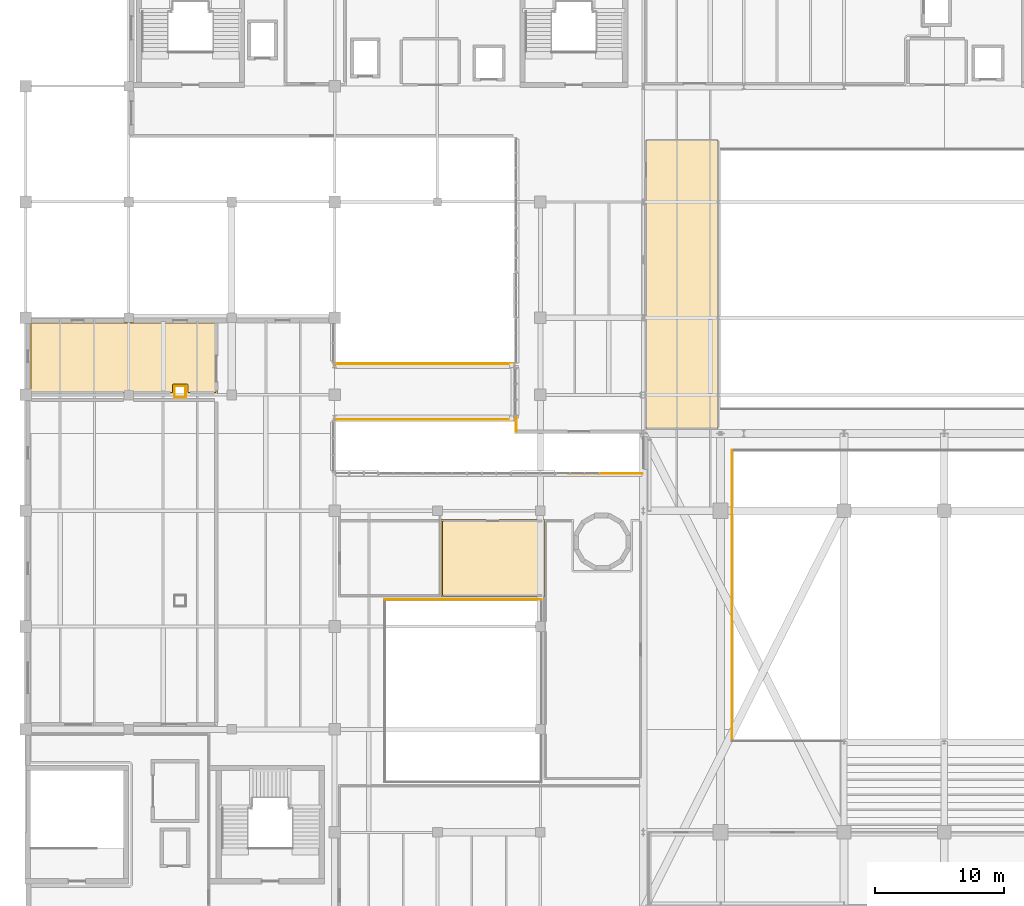
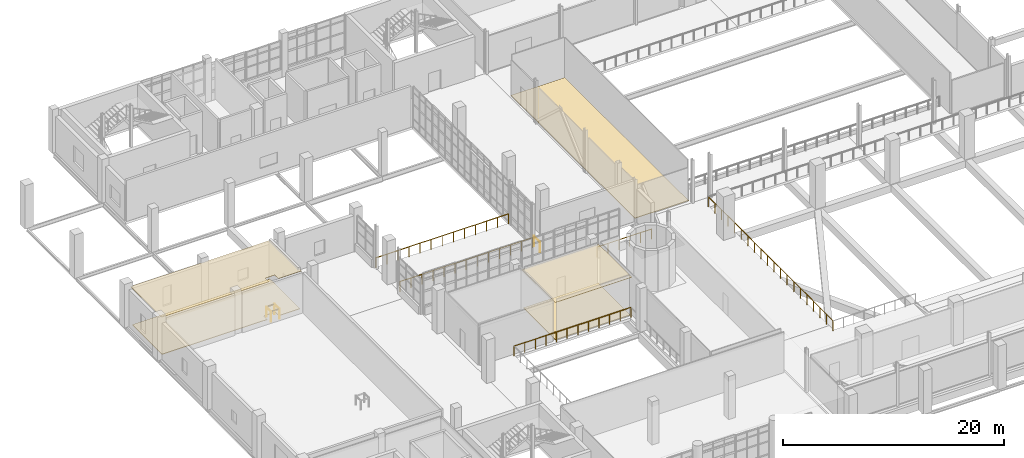
# One storey, part 97 of 100: 10 railings, 5 coverings.
"""IFC4 building model written with IfcOpenShell, lengths in metres."""

import ifcopenshell
import ifcopenshell.guid

model = None  # the IFC model being written
_history = None  # IfcOwnerHistory: only IFC2X3 demands one
_inside = {}  # id of a spatial element -> (the spatial element, [elements in it])
_under = {}  # id of a project, library or spatial element -> (it, [spatial elements below it])
_declared = {}  # id of a project -> (the project, [libraries it declares])
_typed = {}  # id of a type object -> (the type object, [elements of that type])
_made_of = {}  # id of a material, layer set ... -> (it, [elements and type objects made of it])


def new_model(schema):
    """Start an empty IFC model of exactly this schema.

    Asked for "IFC4X3", IfcOpenShell would pick the latest addendum, in which some entities
    have other attributes; the version numbers below select the first issue.
    IFC2X3 requires an IfcOwnerHistory on every rooted entity: one is made here for all.
    """
    global model, _history
    if schema == "IFC4X3":
        model = ifcopenshell.file(schema_version=(4, 3, 0, 0))
    else:
        model = ifcopenshell.file(schema=schema)
    _inside.clear()
    _under.clear()
    _declared.clear()
    _typed.clear()
    _made_of.clear()
    _history = None
    if model.schema == "IFC2X3":
        org = make("IfcOrganization", Name="unknown")
        user = make(
            "IfcPersonAndOrganization",
            ThePerson=make("IfcPerson", FamilyName="unknown"),
            TheOrganization=org,
        )
        app = make(
            "IfcApplication",
            ApplicationDeveloper=org,
            Version="unknown",
            ApplicationFullName="unknown",
            ApplicationIdentifier="unknown",
        )
        _history = make(
            "IfcOwnerHistory",
            OwningUser=user,
            OwningApplication=app,
            ChangeAction="ADDED",
            CreationDate=0,
        )
    return model


def make(cls, **values):
    """One entity of the class cls with the attributes given. An attribute that is None is left unset."""
    return model.create_entity(
        cls, **{name: value for name, value in values.items() if value is not None}
    )


def rooted(cls, **values):
    """An entity with a GlobalId (a new one), such as an element, a storey or a relation."""
    return make(cls, GlobalId=ifcopenshell.guid.new(), OwnerHistory=_history, **values)


def si_unit(unit_type, name, prefix=None):
    """IfcSIUnit, for example si_unit("LENGTHUNIT", "METRE", prefix="MILLI")."""
    return make("IfcSIUnit", UnitType=unit_type, Prefix=prefix, Name=name)


def derived_unit(unit_type, elements):
    """IfcDerivedUnit: a product of units, each with its exponent."""
    return make(
        "IfcDerivedUnit",
        Elements=[
            make("IfcDerivedUnitElement", Unit=unit, Exponent=power)
            for unit, power in elements
        ],
        UnitType=unit_type,
    )


def assignment(units):
    """IfcUnitAssignment: the units of a project."""
    return None if units is None else make("IfcUnitAssignment", Units=units)


def point(xyz):
    """IfcCartesianPoint."""
    return None if xyz is None else make("IfcCartesianPoint", Coordinates=xyz)


def direction(xyz):
    """IfcDirection."""
    return None if xyz is None else make("IfcDirection", DirectionRatios=xyz)


def frame(location, z_axis=None, x_axis=None):
    """IfcAxis2Placement3D, a coordinate frame: its origin and axes. An axis left out is left unset."""
    return make(
        "IfcAxis2Placement3D",
        Location=point(location),
        Axis=direction(z_axis),
        RefDirection=direction(x_axis),
    )


def frame_2d(location, x_axis=None):
    """IfcAxis2Placement2D, a coordinate frame in the plane: its origin and x axis."""
    return make(
        "IfcAxis2Placement2D", Location=point(location), RefDirection=direction(x_axis)
    )


def origin():
    """The frame at (0, 0, 0) with its axes left unset."""
    return frame((0.0, 0.0, 0.0))


def origin_2d():
    """The frame at (0, 0) in the plane with its x axis left unset."""
    return frame_2d((0.0, 0.0))


def place(relative_to, where):
    """IfcLocalPlacement: puts the frame where relative to a parent placement (None: the world)."""
    return make(
        "IfcLocalPlacement", PlacementRelTo=relative_to, RelativePlacement=where
    )


def context(
    kind, dimensions, precision=None, world=None, true_north=None, identifier=None
):
    """IfcGeometricRepresentationContext, for example the 3D "Model" context."""
    return make(
        "IfcGeometricRepresentationContext",
        ContextIdentifier=identifier,
        ContextType=kind,
        CoordinateSpaceDimension=dimensions,
        Precision=precision,
        WorldCoordinateSystem=world,
        TrueNorth=true_north,
    )


def subcontext(parent, identifier, kind, view, scale=None):
    """IfcGeometricRepresentationSubContext, for example "Body" below "Model"."""
    return make(
        "IfcGeometricRepresentationSubContext",
        ContextIdentifier=identifier,
        ContextType=kind,
        ParentContext=parent,
        TargetScale=scale,
        TargetView=view,
    )


def project(units=None, contexts=None):
    """IfcProject with its units and contexts."""
    return rooted(
        "IfcProject",
        Name="project",
        RepresentationContexts=contexts,
        UnitsInContext=assignment(units),
    )


def spatial(cls, under=None, at=None, **own):
    """A site, building, storey or space (cls), placed at a placement, below another one or the project."""
    s = rooted(cls, ObjectPlacement=at, **own)
    if under is not None:
        _under.setdefault(under.id(), (under, []))[1].append(s)
    return s


def polyline(points):
    """IfcPolyline through the points."""
    return make("IfcPolyline", Points=[point(p) for p in points])


def profile(cls, at=None, kind="AREA", **sizes):
    """A parametric profile (cls). Its sizes go by their IFC names, for example OverallWidth=200.0."""
    return make(cls, ProfileType=kind, Position=at, **sizes)


def circle(**sizes):
    """IfcCircleProfileDef."""
    return profile("IfcCircleProfileDef", **sizes)


def outline(outer, holes=None, kind="AREA"):
    """IfcArbitraryClosedProfileDef: a profile drawn as a closed curve; with holes, ...WithVoids."""
    if holes is None:
        return make("IfcArbitraryClosedProfileDef", ProfileType=kind, OuterCurve=outer)
    return make(
        "IfcArbitraryProfileDefWithVoids",
        ProfileType=kind,
        OuterCurve=outer,
        InnerCurves=holes,
    )


def extrude(swept, where, along, depth):
    """IfcExtrudedAreaSolid: the profile swept, set in the frame where, extruded along a direction by depth."""
    return make(
        "IfcExtrudedAreaSolid",
        SweptArea=swept,
        Position=where,
        ExtrudedDirection=direction(along),
        Depth=depth,
    )


def shape(context_of_items, identifier, shape_type, items):
    """IfcShapeRepresentation: the items that make up one representation, for example the "Body"."""
    return make(
        "IfcShapeRepresentation",
        ContextOfItems=context_of_items,
        RepresentationIdentifier=identifier,
        RepresentationType=shape_type,
        Items=items,
    )


def material(Name=None, Category=None):
    """IfcMaterial."""
    return make("IfcMaterial", Name=Name, Category=Category)


def layer(
    of_material, thickness, ventilated=None, Name=None, Category=None, Priority=None
):
    """IfcMaterialLayer: one layer of a wall or slab, of a material (None: an air gap)."""
    return make(
        "IfcMaterialLayer",
        Material=of_material,
        LayerThickness=thickness,
        IsVentilated=ventilated,
        Name=Name,
        Category=Category,
        Priority=Priority,
    )


def layer_set(layers, Name=None):
    """IfcMaterialLayerSet."""
    return make("IfcMaterialLayerSet", MaterialLayers=layers, LayerSetName=Name)


def made_of(thing, what):
    """Note that an element or type object is made of a material, layer set ...; save() writes the relation."""
    if what is not None:
        _made_of.setdefault(what.id(), (what, []))[1].append(thing)
    return thing


def type_object(cls, material=None, **own):
    """A type object (cls), such as IfcWallType, which elements share."""
    return made_of(rooted(cls, **own), material)


def element(
    cls,
    number,
    at=None,
    inside=None,
    cuts=None,
    type_object=None,
    material=None,
    context=None,
    identifier="Body",
    shape_type=None,
    held_by="IfcProductDefinitionShape",
    body=None,
    shapes=None,
    **own,
):
    """One element of the class cls, such as IfcWall. Its Tag is "e" and its number.

    at: its placement. inside: the storey or other place that contains it. cuts: it is an
    opening in that element (IfcRelVoidsElement). A single representation is given by context,
    identifier, shape_type and body (its items); several are given by shapes. held_by: the class
    of the entity that holds the representations. save() writes the other relations.
    """
    e = rooted(cls, Tag="e%d" % number, ObjectPlacement=at, **own)
    if body is not None:
        shapes = [shape(context, identifier, shape_type, body)]
    if shapes is not None:
        e.Representation = make(held_by, Representations=shapes)
    if inside is not None:
        _inside.setdefault(inside.id(), (inside, []))[1].append(e)
    if cuts is not None:
        rooted(
            "IfcRelVoidsElement", RelatingBuildingElement=cuts, RelatedOpeningElement=e
        )
    if type_object is not None:
        _typed.setdefault(type_object.id(), (type_object, []))[1].append(e)
    return made_of(e, material)


def aggregate(whole, parts):
    """IfcRelAggregates: a whole, such as a stair, and the parts it consists of."""
    return rooted("IfcRelAggregates", RelatingObject=whole, RelatedObjects=parts)


def save(model, path):
    """Write the relations noted so far, then the file.

    IfcRelAggregates (storeys below a building ...), IfcRelContainedInSpatialStructure (elements
    in a storey), IfcRelDefinesByType, IfcRelAssociatesMaterial and IfcRelDeclares: one each for
    every whole, place, type object, material and project.
    """
    for whole, parts in _under.values():
        aggregate(whole, parts)
    for where, things in _inside.values():
        rooted(
            "IfcRelContainedInSpatialStructure",
            RelatedElements=things,
            RelatingStructure=where,
        )
    for kind, things in _typed.values():
        rooted("IfcRelDefinesByType", RelatedObjects=things, RelatingType=kind)
    for what, things in _made_of.values():
        rooted("IfcRelAssociatesMaterial", RelatedObjects=things, RelatingMaterial=what)
    for by, libraries in _declared.values():
        rooted("IfcRelDeclares", RelatingContext=by, RelatedDefinitions=libraries)
    model.write(path)


model = new_model("IFC4")

# Units and contexts
model_context = context("Model", 3, precision=1e-05, world=origin(), true_north=direction((0.0, 1.0)))
body_context = subcontext(model_context, "Body", "Model", "MODEL_VIEW")
ifc_project = project(units=[si_unit("LENGTHUNIT", "METRE"), si_unit("AREAUNIT", "SQUARE_METRE"), si_unit("VOLUMEUNIT", "CUBIC_METRE"), si_unit("PLANEANGLEUNIT", "RADIAN"), si_unit("MASSUNIT", "GRAM", prefix="KILO"), derived_unit("THERMALTRANSMITTANCEUNIT", [(si_unit("POWERUNIT", "WATT"), 1), (si_unit("LENGTHUNIT", "METRE"), -2), (si_unit("THERMODYNAMICTEMPERATUREUNIT", "KELVIN"), -1)])], contexts=[model_context])

# Site, building, storey
site_placement = place(None, origin())
site = spatial("IfcSite", under=ifc_project, at=site_placement, CompositionType="ELEMENT")
building_placement = place(site_placement, origin())
building = spatial("IfcBuilding", under=site, at=building_placement, Name="Nallur Shell Playhouse", CompositionType="ELEMENT")
storey_placement = place(building_placement, frame((0.0, 0.0, 10.199951171875)))
storey = spatial("IfcBuildingStorey", under=building, at=storey_placement, Name="L03", CompositionType="ELEMENT", Elevation=10.199951171875)

# Coverings
ifc_material_1 = material(Name="Micro-Perforated Teak Veneer Acoustic Baffle Ceiling")
ifc_layer_1 = layer(ifc_material_1, 0.044921875)
ifc_layer_set_1 = layer_set([ifc_layer_1], Name="Micro-Perforated Teak Veneer Acoustic Baffle Ceiling")
covering_type_1 = type_object("IfcCoveringType", Name="CV-CEIL-AC1", PredefinedType="CEILING", material=ifc_layer_set_1)
covering_1_placement = place(storey_placement, frame((0.0, 0.0, 4.205078125)))
element("IfcCovering", 1, at=covering_1_placement, inside=storey, type_object=covering_type_1, Name="Dress Circle Female Restroom suspended acoustic ceiling", PredefinedType="CEILING", context=body_context, shape_type="SweptSolid", body=[
    extrude(outline(polyline([(56.31005859375, 40.31005859375), (56.31005859375, 34.2900390625), (48.2900390625, 34.2900390625), (48.2900390625, 40.31005859375), (56.31005859375, 40.31005859375)])), origin(), (0.0, 0.0, 1.0), 0.044921875),
])
ifc_material_2 = material(Name="Mineral-Fibre High-NRC Suspended Ceiling Tile")
ifc_layer_2 = layer(ifc_material_2, 0.030029296875)
ifc_layer_set_2 = layer_set([ifc_layer_2], Name="Mineral-Fibre High-NRC Suspended Ceiling Tile")
covering_type_2 = type_object("IfcCoveringType", Name="CV-CEIL-AC2", PredefinedType="CEILING", material=ifc_layer_set_2)
covering_2_placement = place(storey_placement, frame((0.0, 0.0, 4.219970703125)))
element("IfcCovering", 2, at=covering_2_placement, inside=storey, type_object=covering_type_2, Name="Black-Box Rostra & Rigging Store suspended acoustic ceiling", PredefinedType="CEILING", context=body_context, shape_type="SweptSolid", body=[
    extrude(outline(polyline([(30.909912109375, 55.7099609375), (30.909912109375, 50.090087890625), (28.489990234375, 50.090087890625), (28.489990234375, 50.739990234375), (27.510009765625, 50.739990234375), (27.510009765625, 50.090087890625), (16.2900390625, 50.090087890625), (16.2900390625, 55.7099609375), (30.909912109375, 55.7099609375)])), origin(), (0.0, 0.0, 1.0), 0.030029296875),
])
ifc_material_3 = material(Name="Polished Chettinad Oxide & White Marble Terrazzo Flooring", Category="masonry")
ifc_layer_3 = layer(ifc_material_3, 0.050048828125)
ifc_layer_set_3 = layer_set([ifc_layer_3], Name="Polished Chettinad Oxide & White Marble Terrazzo Flooring")
covering_type_3 = type_object("IfcCoveringType", Name="CV-FLOR-TERRAZZO", PredefinedType="FLOORING", material=ifc_layer_set_3)
covering_3_placement = place(storey_placement, origin())
element("IfcCovering", 3, at=covering_3_placement, inside=storey, type_object=covering_type_3, Name="Dress Circle Female Restroom floor finish", PredefinedType="FLOORING", context=body_context, shape_type="SweptSolid", body=[
    extrude(outline(polyline([(56.199951171875, 40.199951171875), (56.199951171875, 34.39990234375), (48.39990234375, 34.39990234375), (48.39990234375, 40.199951171875), (56.199951171875, 40.199951171875)])), origin(), (0.0, 0.0, 1.0), 0.050048828125),
])
ifc_material_4 = material(Name="Sprung Semi-Resilient Stage & Dance Hardwood Flooring", Category="wood")
ifc_layer_4 = layer(ifc_material_4, 0.054931640625)
ifc_layer_set_4 = layer_set([ifc_layer_4], Name="Sprung Semi-Resilient Stage & Dance Hardwood Flooring")
covering_type_4 = type_object("IfcCoveringType", Name="CV-FLOR-TIMBER", PredefinedType="FLOORING", material=ifc_layer_set_4)
covering_4_placement = place(storey_placement, origin())
element("IfcCovering", 4, at=covering_4_placement, inside=storey, type_object=covering_type_4, Name="Black-Box Rostra & Rigging Store floor finish", PredefinedType="FLOORING", context=body_context, shape_type="SweptSolid", body=[
    extrude(outline(polyline([(28.588134765625, 50.797119140625), (28.5830078125, 50.8056640625), (28.577392578125, 50.8134765625), (28.57080078125, 50.82080078125), (28.5634765625, 50.827392578125), (28.5556640625, 50.8330078125), (28.547119140625, 50.838134765625), (28.538330078125, 50.84228515625), (28.529052734375, 50.845703125), (28.51953125, 50.84814453125), (28.509765625, 50.849609375), (28.5, 50.85009765625), (27.5, 50.85009765625), (27.490234375, 50.849609375), (27.48046875, 50.84814453125), (27.470947265625, 50.845703125), (27.461669921875, 50.84228515625), (27.452880859375, 50.838134765625), (27.4443359375, 50.8330078125), (27.4365234375, 50.827392578125), (27.42919921875, 50.82080078125), (27.422607421875, 50.8134765625), (27.4169921875, 50.8056640625), (27.411865234375, 50.797119140625), (27.40771484375, 50.788330078125), (27.404296875, 50.779052734375), (27.40185546875, 50.76953125), (27.400390625, 50.759765625), (27.39990234375, 50.75), (27.39990234375, 50.199951171875), (16.39990234375, 50.199951171875), (16.39990234375, 55.60009765625), (30.800048828125, 55.60009765625), (30.800048828125, 50.199951171875), (28.60009765625, 50.199951171875), (28.60009765625, 50.75), (28.599609375, 50.759765625), (28.59814453125, 50.76953125), (28.595703125, 50.779052734375), (28.59228515625, 50.788330078125), (28.588134765625, 50.797119140625)])), origin(), (0.0, 0.0, 1.0), 0.054931640625),
])
covering_5_placement = place(storey_placement, origin())
element("IfcCovering", 5, at=covering_5_placement, inside=storey, type_object=covering_type_4, Name="Stage Fly Gallery & Counterweight Lock Deck floor finish", PredefinedType="FLOORING", context=body_context, shape_type="SweptSolid", body=[
    extrude(outline(polyline([(69.800048828125, 69.800048828125), (69.800048828125, 47.39990234375), (64.199951171875, 47.39990234375), (64.199951171875, 69.800048828125), (69.800048828125, 69.800048828125)])), origin(), (0.0, 0.0, 1.0), 0.054931640625),
])

# Railings
ifc_material_5 = material(Name="Bronze-Anodised Foyer Void Acoustic Glass Guardrail", Category="glass")
railing_type_1 = type_object("IfcRailingType", Name="RL-BAL-1100", PredefinedType="BALUSTRADE", material=ifc_material_5)
railing_1_placement = place(storey_placement, frame((70.89990234375, 45.699951171875, 0.0)))
element("IfcRailing", 6, at=railing_1_placement, inside=storey, type_object=railing_type_1, Name="L03 interior void balustrade 008", PredefinedType="BALUSTRADE", context=body_context, shape_type="SweptSolid", body=[
    extrude(circle(Radius=0.02392578125, at=origin_2d()), frame((0.0, 0.0, 1.09619140625), z_axis=(0.0, -1.0, 0.0), x_axis=(1.0, 0.0, 0.0)), (0.0, 0.0, 1.0), 22.599853515625),
    extrude(circle(Radius=0.02099609375, at=origin_2d()), origin(), (0.0, 0.0, 1.0), 1.072021484375),
    extrude(circle(Radius=0.02099609375, at=origin_2d()), frame((0.0, -1.189453125, 0.0)), (0.0, 0.0, 1.0), 1.072021484375),
    extrude(circle(Radius=0.02099609375, at=origin_2d()), frame((0.0, -2.37890625, 0.0)), (0.0, 0.0, 1.0), 1.072021484375),
    extrude(circle(Radius=0.02099609375, at=origin_2d()), frame((0.0, -3.568359375, 0.0)), (0.0, 0.0, 1.0), 1.072021484375),
    extrude(circle(Radius=0.02099609375, at=origin_2d()), frame((0.0, -4.7578125, 0.0)), (0.0, 0.0, 1.0), 1.072021484375),
    extrude(circle(Radius=0.02099609375, at=origin_2d()), frame((0.0, -5.947265625, 0.0)), (0.0, 0.0, 1.0), 1.072021484375),
    extrude(circle(Radius=0.02099609375, at=origin_2d()), frame((0.0, -7.13671875, 0.0)), (0.0, 0.0, 1.0), 1.072021484375),
    extrude(circle(Radius=0.02099609375, at=origin_2d()), frame((0.0, -8.326171875, 0.0)), (0.0, 0.0, 1.0), 1.072021484375),
    extrude(circle(Radius=0.02099609375, at=origin_2d()), frame((0.0, -9.515625, 0.0)), (0.0, 0.0, 1.0), 1.072021484375),
    extrude(circle(Radius=0.02099609375, at=origin_2d()), frame((0.0, -10.705078125, 0.0)), (0.0, 0.0, 1.0), 1.072021484375),
    extrude(circle(Radius=0.02099609375, at=origin_2d()), frame((0.0, -11.894775390625, 0.0)), (0.0, 0.0, 1.0), 1.072021484375),
    extrude(circle(Radius=0.02099609375, at=origin_2d()), frame((0.0, -13.084228515625, 0.0)), (0.0, 0.0, 1.0), 1.072021484375),
    extrude(circle(Radius=0.02099609375, at=origin_2d()), frame((0.0, -14.273681640625, 0.0)), (0.0, 0.0, 1.0), 1.072021484375),
    extrude(circle(Radius=0.02099609375, at=origin_2d()), frame((0.0, -15.463134765625, 0.0)), (0.0, 0.0, 1.0), 1.072021484375),
    extrude(circle(Radius=0.02099609375, at=origin_2d()), frame((0.0, -16.652587890625, 0.0)), (0.0, 0.0, 1.0), 1.072021484375),
    extrude(circle(Radius=0.02099609375, at=origin_2d()), frame((0.0, -17.842041015625, 0.0)), (0.0, 0.0, 1.0), 1.072021484375),
    extrude(circle(Radius=0.02099609375, at=origin_2d()), frame((0.0, -19.031494140625, 0.0)), (0.0, 0.0, 1.0), 1.072021484375),
    extrude(circle(Radius=0.02099609375, at=origin_2d()), frame((0.0, -20.220947265625, 0.0)), (0.0, 0.0, 1.0), 1.072021484375),
    extrude(circle(Radius=0.02099609375, at=origin_2d()), frame((0.0, -21.410400390625, 0.0)), (0.0, 0.0, 1.0), 1.072021484375),
    extrude(circle(Radius=0.02099609375, at=origin_2d()), frame((0.0, -22.599853515625, 0.0)), (0.0, 0.0, 1.0), 1.072021484375),
])
railing_2_placement = place(storey_placement, frame((56.10009765625, 34.10009765625, 0.0)))
element("IfcRailing", 7, at=railing_2_placement, inside=storey, type_object=railing_type_1, Name="L03 interior void balustrade 011", PredefinedType="BALUSTRADE", context=body_context, shape_type="SweptSolid", body=[
    extrude(circle(Radius=0.02392578125, at=origin_2d()), frame((0.0, 0.0, 1.09619140625), z_axis=(-1.0, 0.0, 0.0), x_axis=(0.0, -1.0, 0.0)), (0.0, 0.0, 1.0), 12.2001953125),
    extrude(circle(Radius=0.02099609375, at=origin_2d()), origin(), (0.0, 0.0, 1.0), 1.072021484375),
    extrude(circle(Radius=0.02099609375, at=origin_2d()), frame((-1.109130859375, 0.0, 0.0)), (0.0, 0.0, 1.0), 1.072021484375),
    extrude(circle(Radius=0.02099609375, at=origin_2d()), frame((-2.21826171875, 0.0, 0.0)), (0.0, 0.0, 1.0), 1.072021484375),
    extrude(circle(Radius=0.02099609375, at=origin_2d()), frame((-3.327392578125, 0.0, 0.0)), (0.0, 0.0, 1.0), 1.072021484375),
    extrude(circle(Radius=0.02099609375, at=origin_2d()), frame((-4.4365234375, 0.0, 0.0)), (0.0, 0.0, 1.0), 1.072021484375),
    extrude(circle(Radius=0.02099609375, at=origin_2d()), frame((-5.545654296875, 0.0, 0.0)), (0.0, 0.0, 1.0), 1.072021484375),
    extrude(circle(Radius=0.02099609375, at=origin_2d()), frame((-6.654541015625, 0.0, 0.0)), (0.0, 0.0, 1.0), 1.072021484375),
    extrude(circle(Radius=0.02099609375, at=origin_2d()), frame((-7.763671875, 0.0, 0.0)), (0.0, 0.0, 1.0), 1.072021484375),
    extrude(circle(Radius=0.02099609375, at=origin_2d()), frame((-8.872802734375, 0.0, 0.0)), (0.0, 0.0, 1.0), 1.072021484375),
    extrude(circle(Radius=0.02099609375, at=origin_2d()), frame((-9.98193359375, 0.0, 0.0)), (0.0, 0.0, 1.0), 1.072021484375),
    extrude(circle(Radius=0.02099609375, at=origin_2d()), frame((-11.091064453125, 0.0, 0.0)), (0.0, 0.0, 1.0), 1.072021484375),
    extrude(circle(Radius=0.02099609375, at=origin_2d()), frame((-12.2001953125, 0.0, 0.0)), (0.0, 0.0, 1.0), 1.072021484375),
])
ifc_material_6 = material(Name="Brushed Stainless Steel 316 Balustrade & Toughened Infill", Category="steel")
railing_type_2 = type_object("IfcRailingType", Name="RL-GUARD-1100", PredefinedType="BALUSTRADE", material=ifc_material_6)
railing_3_placement = place(storey_placement, frame((40.0400390625, 52.419921875, 0.0)))
element("IfcRailing", 8, at=railing_3_placement, inside=storey, type_object=railing_type_2, Name="L03 courtyard bridge balustrade 27", PredefinedType="BALUSTRADE", context=body_context, shape_type="SweptSolid", body=[
    extrude(circle(Radius=0.02392578125, at=origin_2d()), frame((0.0, 0.0, 1.09619140625), z_axis=(1.0, 0.0, 0.0), x_axis=(0.0, 1.0, 0.0)), (0.0, 0.0, 1.0), 13.844970703125),
    extrude(circle(Radius=0.02099609375, at=origin_2d()), origin(), (0.0, 0.0, 1.0), 1.072021484375),
    extrude(circle(Radius=0.02099609375, at=origin_2d()), frame((1.15380859375, 0.0, 0.0)), (0.0, 0.0, 1.0), 1.072021484375),
    extrude(circle(Radius=0.02099609375, at=origin_2d()), frame((2.3076171875, 0.0, 0.0)), (0.0, 0.0, 1.0), 1.072021484375),
    extrude(circle(Radius=0.02099609375, at=origin_2d()), frame((3.461181640625, 0.0, 0.0)), (0.0, 0.0, 1.0), 1.072021484375),
    extrude(circle(Radius=0.02099609375, at=origin_2d()), frame((4.614990234375, 0.0, 0.0)), (0.0, 0.0, 1.0), 1.072021484375),
    extrude(circle(Radius=0.02099609375, at=origin_2d()), frame((5.768798828125, 0.0, 0.0)), (0.0, 0.0, 1.0), 1.072021484375),
    extrude(circle(Radius=0.02099609375, at=origin_2d()), frame((6.92236328125, 0.0, 0.0)), (0.0, 0.0, 1.0), 1.072021484375),
    extrude(circle(Radius=0.02099609375, at=origin_2d()), frame((8.076171875, 0.0, 0.0)), (0.0, 0.0, 1.0), 1.072021484375),
    extrude(circle(Radius=0.02099609375, at=origin_2d()), frame((9.22998046875, 0.0, 0.0)), (0.0, 0.0, 1.0), 1.072021484375),
    extrude(circle(Radius=0.02099609375, at=origin_2d()), frame((10.3837890625, 0.0, 0.0)), (0.0, 0.0, 1.0), 1.072021484375),
    extrude(circle(Radius=0.02099609375, at=origin_2d()), frame((11.53759765625, 0.0, 0.0)), (0.0, 0.0, 1.0), 1.072021484375),
    extrude(circle(Radius=0.02099609375, at=origin_2d()), frame((12.691162109375, 0.0, 0.0)), (0.0, 0.0, 1.0), 1.072021484375),
    extrude(circle(Radius=0.02099609375, at=origin_2d()), frame((13.844970703125, 0.0, 0.0)), (0.0, 0.0, 1.0), 1.072021484375),
])
railing_4_placement = place(storey_placement, frame((53.885009765625, 48.080078125, 0.0)))
element("IfcRailing", 9, at=railing_4_placement, inside=storey, type_object=railing_type_2, Name="L03 courtyard bridge balustrade 28", PredefinedType="BALUSTRADE", context=body_context, shape_type="SweptSolid", body=[
    extrude(circle(Radius=0.02392578125, at=origin_2d()), frame((0.0, 0.0, 1.09619140625), z_axis=(-1.0, 0.0, 0.0), x_axis=(0.0, -1.0, 0.0)), (0.0, 0.0, 1.0), 13.844970703125),
    extrude(circle(Radius=0.02099609375, at=origin_2d()), origin(), (0.0, 0.0, 1.0), 1.072021484375),
    extrude(circle(Radius=0.02099609375, at=origin_2d()), frame((-1.15380859375, 0.0, 0.0)), (0.0, 0.0, 1.0), 1.072021484375),
    extrude(circle(Radius=0.02099609375, at=origin_2d()), frame((-2.3076171875, 0.0, 0.0)), (0.0, 0.0, 1.0), 1.072021484375),
    extrude(circle(Radius=0.02099609375, at=origin_2d()), frame((-3.461181640625, 0.0, 0.0)), (0.0, 0.0, 1.0), 1.072021484375),
    extrude(circle(Radius=0.02099609375, at=origin_2d()), frame((-4.614990234375, 0.0, 0.0)), (0.0, 0.0, 1.0), 1.072021484375),
    extrude(circle(Radius=0.02099609375, at=origin_2d()), frame((-5.768798828125, 0.0, 0.0)), (0.0, 0.0, 1.0), 1.072021484375),
    extrude(circle(Radius=0.02099609375, at=origin_2d()), frame((-6.92236328125, 0.0, 0.0)), (0.0, 0.0, 1.0), 1.072021484375),
    extrude(circle(Radius=0.02099609375, at=origin_2d()), frame((-8.076171875, 0.0, 0.0)), (0.0, 0.0, 1.0), 1.072021484375),
    extrude(circle(Radius=0.02099609375, at=origin_2d()), frame((-9.22998046875, 0.0, 0.0)), (0.0, 0.0, 1.0), 1.072021484375),
    extrude(circle(Radius=0.02099609375, at=origin_2d()), frame((-10.3837890625, 0.0, 0.0)), (0.0, 0.0, 1.0), 1.072021484375),
    extrude(circle(Radius=0.02099609375, at=origin_2d()), frame((-11.53759765625, 0.0, 0.0)), (0.0, 0.0, 1.0), 1.072021484375),
    extrude(circle(Radius=0.02099609375, at=origin_2d()), frame((-12.691162109375, 0.0, 0.0)), (0.0, 0.0, 1.0), 1.072021484375),
    extrude(circle(Radius=0.02099609375, at=origin_2d()), frame((-13.844970703125, 0.0, 0.0)), (0.0, 0.0, 1.0), 1.072021484375),
])
railing_5_placement = place(storey_placement, frame((54.1201171875, 47.14990234375, 0.0)))
element("IfcRailing", 10, at=railing_5_placement, inside=storey, type_object=railing_type_2, Name="L03 bridge-junction slab edge balustrade", PredefinedType="BALUSTRADE", context=body_context, shape_type="SweptSolid", body=[
    extrude(circle(Radius=0.02392578125, at=origin_2d()), frame((0.0, 0.0, 1.09619140625), z_axis=(0.0, 1.0, 0.0), x_axis=(-1.0, 0.0, 0.0)), (0.0, 0.0, 1.0), 1.090087890625),
    extrude(circle(Radius=0.02099609375, at=origin_2d()), origin(), (0.0, 0.0, 1.0), 1.072021484375),
    extrude(circle(Radius=0.02099609375, at=origin_2d()), frame((0.0, 1.090087890625, 0.0)), (0.0, 0.0, 1.0), 1.072021484375),
])
railing_6_placement = place(storey_placement, frame((27.570068359375, 49.820068359375, 0.0)))
element("IfcRailing", 11, at=railing_6_placement, inside=storey, type_object=railing_type_2, Name="L03 service riser edge guard 087", PredefinedType="BALUSTRADE", context=body_context, shape_type="SweptSolid", body=[
    extrude(circle(Radius=0.02392578125, at=origin_2d()), frame((0.0, 0.0, 1.09619140625), z_axis=(1.0, 0.0, 0.0), x_axis=(0.0, 1.0, 0.0)), (0.0, 0.0, 1.0), 0.85986328125),
    extrude(circle(Radius=0.02099609375, at=origin_2d()), origin(), (0.0, 0.0, 1.0), 1.072021484375),
    extrude(circle(Radius=0.02099609375, at=origin_2d()), frame((0.85986328125, 0.0, 0.0)), (0.0, 0.0, 1.0), 1.072021484375),
])
railing_7_placement = place(storey_placement, frame((28.429931640625, 49.820068359375, 0.0)))
element("IfcRailing", 12, at=railing_7_placement, inside=storey, type_object=railing_type_2, Name="L03 service riser edge guard 088", PredefinedType="BALUSTRADE", context=body_context, shape_type="SweptSolid", body=[
    extrude(circle(Radius=0.02392578125, at=origin_2d()), frame((0.0, 0.0, 1.09619140625), z_axis=(0.0, 1.0, 0.0), x_axis=(-1.0, 0.0, 0.0)), (0.0, 0.0, 1.0), 0.85986328125),
    extrude(circle(Radius=0.02099609375, at=origin_2d()), origin(), (0.0, 0.0, 1.0), 1.072021484375),
    extrude(circle(Radius=0.02099609375, at=origin_2d()), frame((0.0, 0.85986328125, 0.0)), (0.0, 0.0, 1.0), 1.072021484375),
])
railing_8_placement = place(storey_placement, frame((28.429931640625, 50.679931640625, 0.0)))
element("IfcRailing", 13, at=railing_8_placement, inside=storey, type_object=railing_type_2, Name="L03 service riser edge guard 089", PredefinedType="BALUSTRADE", context=body_context, shape_type="SweptSolid", body=[
    extrude(circle(Radius=0.02392578125, at=origin_2d()), frame((0.0, 0.0, 1.09619140625), z_axis=(-1.0, 0.0, 0.0), x_axis=(0.0, -1.0, 0.0)), (0.0, 0.0, 1.0), 0.85986328125),
    extrude(circle(Radius=0.02099609375, at=origin_2d()), origin(), (0.0, 0.0, 1.0), 1.072021484375),
    extrude(circle(Radius=0.02099609375, at=origin_2d()), frame((-0.85986328125, 0.0, 0.0)), (0.0, 0.0, 1.0), 1.072021484375),
])
railing_9_placement = place(storey_placement, frame((27.570068359375, 50.679931640625, 0.0)))
element("IfcRailing", 14, at=railing_9_placement, inside=storey, type_object=railing_type_2, Name="L03 service riser edge guard 090", PredefinedType="BALUSTRADE", context=body_context, shape_type="SweptSolid", body=[
    extrude(circle(Radius=0.02392578125, at=origin_2d()), frame((0.0, 0.0, 1.09619140625), z_axis=(0.0, -1.0, 0.0), x_axis=(1.0, 0.0, 0.0)), (0.0, 0.0, 1.0), 0.85986328125),
    extrude(circle(Radius=0.02099609375, at=origin_2d()), origin(), (0.0, 0.0, 1.0), 1.072021484375),
    extrude(circle(Radius=0.02099609375, at=origin_2d()), frame((0.0, -0.85986328125, 0.0)), (0.0, 0.0, 1.0), 1.072021484375),
])
railing_10_placement = place(storey_placement, frame((58.199951171875, 43.8798828125, 0.0)))
element("IfcRailing", 15, at=railing_10_placement, inside=storey, type_object=railing_type_2, Name="L03 courtyard edge balustrade at JC-7", PredefinedType="BALUSTRADE", context=body_context, shape_type="SweptSolid", body=[
    extrude(circle(Radius=0.02392578125, at=origin_2d()), frame((0.0, 0.0, 1.09619140625), z_axis=(1.0, 0.0, 0.0), x_axis=(0.0, 1.0, 0.0)), (0.0, 0.0, 1.0), 5.719970703125),
    extrude(circle(Radius=0.02099609375, at=origin_2d()), origin(), (0.0, 0.0, 1.0), 1.072021484375),
    extrude(circle(Radius=0.02099609375, at=origin_2d()), frame((1.14404296875, 0.0, 0.0)), (0.0, 0.0, 1.0), 1.072021484375),
    extrude(circle(Radius=0.02099609375, at=origin_2d()), frame((2.2880859375, 0.0, 0.0)), (0.0, 0.0, 1.0), 1.072021484375),
    extrude(circle(Radius=0.02099609375, at=origin_2d()), frame((3.431884765625, 0.0, 0.0)), (0.0, 0.0, 1.0), 1.072021484375),
    extrude(circle(Radius=0.02099609375, at=origin_2d()), frame((4.575927734375, 0.0, 0.0)), (0.0, 0.0, 1.0), 1.072021484375),
    extrude(circle(Radius=0.02099609375, at=origin_2d()), frame((5.719970703125, 0.0, 0.0)), (0.0, 0.0, 1.0), 1.072021484375),
])

save(model, "model.ifc")
